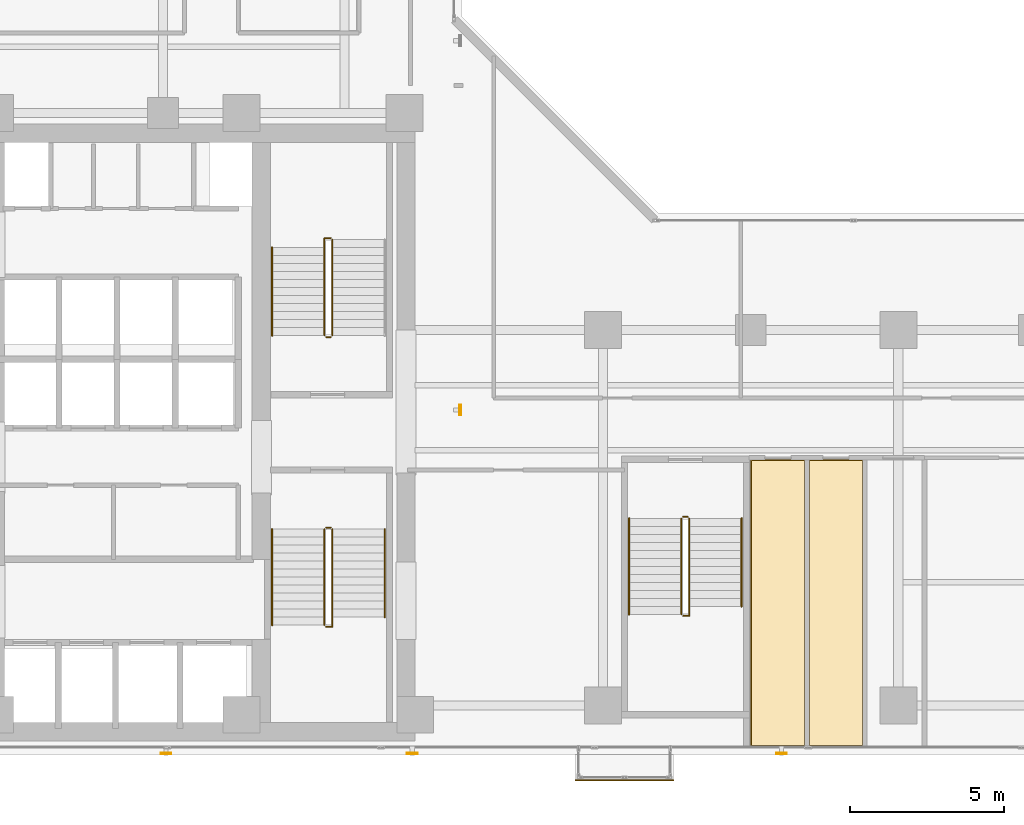
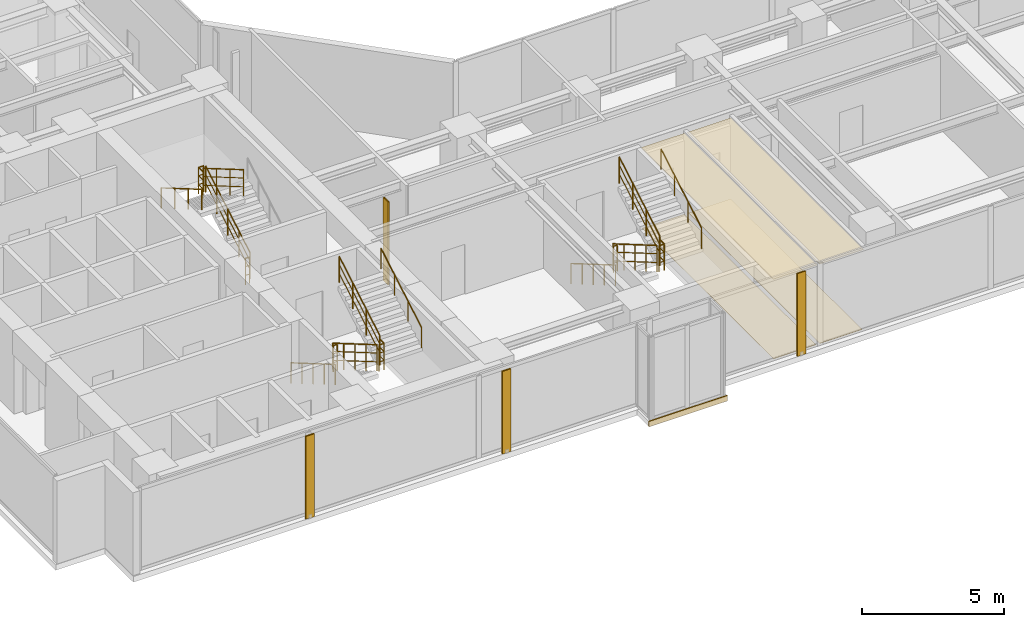
# One storey, part 23 of 24: 17 railings, 5 coverings, 4 shading devices.
"""IFC4 building model written with IfcOpenShell, lengths in metres."""

from ifc_helpers import new_model, si_unit, direction, frame, origin, origin_2d, place, context, subcontext, project, spatial, polyline, rectangle, hollow_rectangle, circle, outline, extrude, material, layer, layer_set, material_profile, profile_set, type_object, element, save


model = new_model("IFC4")

# Units and contexts
model_context = context("Model", 3, precision=1e-05, world=origin(), true_north=direction((0.0, 1.0)))
body_context = subcontext(model_context, "Body", "Model", "MODEL_VIEW")
ifc_project = project(units=[si_unit("LENGTHUNIT", "METRE"), si_unit("AREAUNIT", "SQUARE_METRE"), si_unit("VOLUMEUNIT", "CUBIC_METRE"), si_unit("PLANEANGLEUNIT", "RADIAN"), si_unit("MASSUNIT", "GRAM", prefix="KILO")], contexts=[model_context])

# Site, building, storey
site_placement = place(None, origin())
site = spatial("IfcSite", under=ifc_project, at=site_placement, CompositionType="ELEMENT")
building_placement = place(site_placement, origin())
building = spatial("IfcBuilding", under=site, at=building_placement, Name="Kolvaren Waterfront Exchange", CompositionType="ELEMENT")
storey_placement = place(building_placement, frame((0.0, 0.0, 169.0)))
storey = spatial("IfcBuildingStorey", under=building, at=storey_placement, Name="L43", CompositionType="ELEMENT", Elevation=169.0)

# Coverings
ifc_material_1 = material(Name="Mineral fibre acoustic ceiling tile")
ifc_layer_1 = layer(ifc_material_1, 0.02490234375, Name="Mineral fibre acoustic ceiling tile")
ifc_layer_set_1 = layer_set([ifc_layer_1], Name="Mineral fibre acoustic ceiling tile")
covering_type_1 = type_object("IfcCoveringType", Name="ARC-CEIL-ACOUSTIC-25", PredefinedType="CEILING", material=ifc_layer_set_1)
covering_1_placement = place(storey_placement, frame((0.0, 0.0, 3.445068359375)))
element("IfcCovering", 1, at=covering_1_placement, inside=storey, type_object=covering_type_1, Name="L43 acoustic suspended ceiling 2", PredefinedType="CEILING", context=body_context, shape_type="SweptSolid", body=[
    extrude(outline(polyline([(33.784912109375, 3.864990234375), (33.784912109375, 13.195068359375), (32.0, 13.195068359375), (32.0, 4.800048828125), (31.9951171875, 4.800048828125), (31.9951171875, 3.864990234375), (33.784912109375, 3.864990234375)])), origin(), (0.0, 0.0, 1.0), 0.02490234375),
])
covering_2_placement = place(storey_placement, frame((0.0, 0.0, 3.445068359375)))
element("IfcCovering", 2, at=covering_2_placement, inside=storey, type_object=covering_type_1, Name="L43 acoustic suspended ceiling 3", PredefinedType="CEILING", context=body_context, shape_type="SweptSolid", body=[
    extrude(outline(polyline([(35.6650390625, 3.864990234375), (35.6650390625, 13.195068359375), (33.875, 13.195068359375), (33.875, 3.864990234375), (35.6650390625, 3.864990234375)])), origin(), (0.0, 0.0, 1.0), 0.02490234375),
])
ifc_material_2 = material(Name="Anodised bronze fascia aluminium", Category="aluminium")
ifc_layer_2 = layer(ifc_material_2, 0.034912109375, Name="Anodised bronze fascia aluminium")
ifc_layer_set_2 = layer_set([ifc_layer_2], Name="Anodised bronze fascia aluminium")
covering_type_2 = type_object("IfcCoveringType", Name="ARC-CLAD-BRONZE-35", PredefinedType="CLADDING", material=ifc_layer_set_2)
covering_3_placement = place(storey_placement, frame((27.89990234375, 2.77001953125, -0.22021484375), z_axis=(0.0, 0.0, 1.0), x_axis=(1.0, 0.0, 0.0)))
element("IfcCovering", 3, at=covering_3_placement, inside=storey, type_object=covering_type_2, Name="L43 ribbed anodised bronze bay-box fascia", PredefinedType="CLADDING", context=body_context, shape_type="SweptSolid", body=[
    extrude(rectangle(XDim=3.199951171875, YDim=0.034912109375, at=origin_2d()), origin(), (0.0, 0.0, 1.0), 0.239990234375),
])

# Shading devices
ifc_material_3 = material(Name="Anodised bronze aluminium 6063-T6", Category="aluminium")
ifc_material_profile = material_profile(ifc_material_3, hollow_rectangle(XDim=0.06005859375, YDim=0.35009765625, WallThickness=0.0048828125, at=origin_2d()), Name="BRZ-FIN-350x60x5")
ifc_profile_set = profile_set([ifc_material_profile], Name="Anodised bronze aluminium 6063-T6")
shading_device_type = type_object("IfcShadingDeviceType", Name="ARC-FIN-350", PredefinedType="USERDEFINED", material=ifc_profile_set)
for number, where, z_axis, x_axis, name in (
    (4, (13.0, 3.639892578125, 0.0), (0.0, 0.0, 1.0), (0.0, -1.0, 0.0), "L43 anodised bronze solar shading fin FIN-L43-S1"),
    (5, (21.0, 3.639892578125, 0.0), (0.0, 0.0, 1.0), (0.0, -1.0, 0.0), "L43 anodised bronze solar shading fin FIN-L43-S2"),
    (6, (33.0, 3.639892578125, 0.0), (0.0, 0.0, 1.0), (0.0, -1.0, 0.0), "L43 anodised bronze solar shading fin FIN-L43-S3"),
    (7, (22.56005859375, 14.800048828125, 0.0), (0.0, 0.0, 1.0), (1.0, 0.0, 0.0), "L43 anodised bronze solar shading fin FIN-L43-E1"),
):
    element("IfcShadingDevice", number, at=place(storey_placement, frame(where, z_axis=z_axis, x_axis=x_axis)), inside=storey, type_object=shading_device_type, Name=name, ObjectType="SOLAR FIN", PredefinedType="USERDEFINED", context=body_context, shape_type="SweptSolid", body=[
        extrude(hollow_rectangle(XDim=0.06005859375, YDim=0.35009765625, WallThickness=0.0048828125, at=origin_2d()), origin(), (0.0, 0.0, 1.0), 3.56005859375),
    ])

# Coverings
ifc_material_4 = material(Name="Slip-resistant porcelain tile")
ifc_layer_3 = layer(ifc_material_4, 0.014892578125, Name="Slip-resistant porcelain tile")
ifc_layer_set_3 = layer_set([ifc_layer_3], Name="Slip-resistant porcelain tile")
covering_type_3 = type_object("IfcCoveringType", Name="ARC-FLR-PORC-15", PredefinedType="FLOORING", material=ifc_layer_set_3)
covering_4_placement = place(storey_placement, origin())
element("IfcCovering", 8, at=covering_4_placement, inside=storey, type_object=covering_type_3, Name="L43 floor finish 2", PredefinedType="FLOORING", context=body_context, shape_type="SweptSolid", body=[
    extrude(outline(polyline([(32.030029296875, 13.159912109375), (32.030029296875, 3.89990234375), (33.75, 3.89990234375), (33.75, 13.159912109375), (32.030029296875, 13.159912109375)])), origin(), (0.0, 0.0, 1.0), 0.014892578125),
])
covering_5_placement = place(storey_placement, origin())
element("IfcCovering", 9, at=covering_5_placement, inside=storey, type_object=covering_type_3, Name="L43 floor finish 3", PredefinedType="FLOORING", context=body_context, shape_type="SweptSolid", body=[
    extrude(outline(polyline([(33.909912109375, 13.159912109375), (33.909912109375, 3.89990234375), (35.6298828125, 3.89990234375), (35.6298828125, 13.159912109375), (33.909912109375, 13.159912109375)])), origin(), (0.0, 0.0, 1.0), 0.014892578125),
])

# Railings
ifc_material_5 = material(Name="Stainless steel 316", Category="steel")
railing_type_1 = type_object("IfcRailingType", Name="ARC-GUARD-STAIR", PredefinedType="GUARDRAIL", material=ifc_material_5)
railing_1_placement = place(storey_placement, frame((18.14990234375, 10.929931640625, 0.152099609375)))
element("IfcRailing", 10, at=railing_1_placement, inside=storey, type_object=railing_type_1, Name="L43 ST1 stair guard 1", PredefinedType="GUARDRAIL", context=body_context, shape_type="SweptSolid", body=[
    extrude(circle(Radius=0.02392578125, at=origin_2d()), frame((0.0, 0.0, 1.1259765625), z_axis=(0.0, -0.86329090724, 0.504706656858), x_axis=(1.0, 0.0, 0.0)), (0.0, 0.0, 1.0), 3.614013671875),
    extrude(circle(Radius=0.01611328125, at=origin_2d()), frame((0.0, 0.0, 0.390869140625), z_axis=(0.0, -0.86329090724, 0.504706656858), x_axis=(1.0, 0.0, 0.0)), (0.0, 0.0, 1.0), 3.614013671875),
    extrude(circle(Radius=0.01611328125, at=origin_2d()), frame((0.0, 0.0, 0.7705078125), z_axis=(0.0, -0.86329090724, 0.504706656858), x_axis=(1.0, 0.0, 0.0)), (0.0, 0.0, 1.0), 3.614013671875),
    extrude(circle(Radius=0.02099609375, at=origin_2d()), origin(), (0.0, 0.0, 1.0), 1.101806640625),
    extrude(circle(Radius=0.02099609375, at=origin_2d()), frame((0.0, -0.780029296875, 0.4560546875)), (0.0, 0.0, 1.0), 1.101806640625),
    extrude(circle(Radius=0.02099609375, at=origin_2d()), frame((0.0, -1.56005859375, 0.912109375)), (0.0, 0.0, 1.0), 1.101806640625),
    extrude(circle(Radius=0.02099609375, at=origin_2d()), frame((0.0, -2.33984375, 1.367919921875)), (0.0, 0.0, 1.0), 1.101806640625),
    extrude(circle(Radius=0.02099609375, at=origin_2d()), frame((0.0, -3.119873046875, 1.823974609375)), (0.0, 0.0, 1.0), 1.101806640625),
])
railing_2_placement = place(storey_placement, frame((18.199951171875, 7.760009765625, 1.97607421875)))
element("IfcRailing", 11, at=railing_2_placement, inside=storey, type_object=railing_type_1, Name="L43 ST1 stair guard 2", PredefinedType="GUARDRAIL", context=body_context, shape_type="SweptSolid", body=[
    extrude(circle(Radius=0.02392578125, at=origin_2d()), frame((0.0, 0.0, 1.1259765625), z_axis=(1.0, 0.0, 0.0), x_axis=(0.0, 1.0, 0.0)), (0.0, 0.0, 1.0), 0.2099609375),
    extrude(circle(Radius=0.01611328125, at=origin_2d()), frame((0.0, 0.0, 0.390869140625), z_axis=(1.0, 0.0, 0.0), x_axis=(0.0, 1.0, 0.0)), (0.0, 0.0, 1.0), 0.2099609375),
    extrude(circle(Radius=0.01611328125, at=origin_2d()), frame((0.0, 0.0, 0.7705078125), z_axis=(1.0, 0.0, 0.0), x_axis=(0.0, 1.0, 0.0)), (0.0, 0.0, 1.0), 0.2099609375),
    extrude(circle(Radius=0.02392578125, at=origin_2d()), frame((0.2099609375, 0.0, 1.1259765625), z_axis=(0.0, 1.0, 0.0), x_axis=(-1.0, 0.0, 0.0)), (0.0, 0.0, 1.0), 0.31005859375),
    extrude(circle(Radius=0.01611328125, at=origin_2d()), frame((0.2099609375, 0.0, 0.390869140625), z_axis=(0.0, 1.0, 0.0), x_axis=(-1.0, 0.0, 0.0)), (0.0, 0.0, 1.0), 0.31005859375),
    extrude(circle(Radius=0.01611328125, at=origin_2d()), frame((0.2099609375, 0.0, 0.7705078125), z_axis=(0.0, 1.0, 0.0), x_axis=(-1.0, 0.0, 0.0)), (0.0, 0.0, 1.0), 0.31005859375),
    extrude(circle(Radius=0.02099609375, at=origin_2d()), origin(), (0.0, 0.0, 1.0), 1.101806640625),
    extrude(circle(Radius=0.02099609375, at=origin_2d()), frame((0.2099609375, 0.0, 0.0)), (0.0, 0.0, 1.0), 1.101806640625),
    extrude(circle(Radius=0.02099609375, at=origin_2d()), frame((0.2099609375, 0.31005859375, 0.0)), (0.0, 0.0, 1.0), 1.101806640625),
])
railing_3_placement = place(storey_placement, frame((18.409912109375, 8.070068359375, 2.1279296875)))
element("IfcRailing", 12, at=railing_3_placement, inside=storey, type_object=railing_type_1, Name="L43 ST1 stair guard 3", PredefinedType="GUARDRAIL", context=body_context, shape_type="SweptSolid", body=[
    extrude(circle(Radius=0.02392578125, at=origin_2d()), frame((0.0, 0.0, 1.1259765625), z_axis=(0.0, 0.863270611444, 0.50474137082), x_axis=(-1.0, 0.0, 0.0)), (0.0, 0.0, 1.0), 3.312744140625),
    extrude(circle(Radius=0.01611328125, at=origin_2d()), frame((0.0, 0.0, 0.390869140625), z_axis=(0.0, 0.863270611444, 0.50474137082), x_axis=(-1.0, 0.0, 0.0)), (0.0, 0.0, 1.0), 3.312744140625),
    extrude(circle(Radius=0.01611328125, at=origin_2d()), frame((0.0, 0.0, 0.7705078125), z_axis=(0.0, 0.863270611444, 0.50474137082), x_axis=(-1.0, 0.0, 0.0)), (0.0, 0.0, 1.0), 3.312744140625),
    extrude(circle(Radius=0.02099609375, at=origin_2d()), origin(), (0.0, 0.0, 1.0), 1.101806640625),
    extrude(circle(Radius=0.02099609375, at=origin_2d()), frame((0.0, 0.953369140625, 0.557373046875)), (0.0, 0.0, 1.0), 1.101806640625),
    extrude(circle(Radius=0.02099609375, at=origin_2d()), frame((0.0, 1.906494140625, 1.11474609375)), (0.0, 0.0, 1.0), 1.101806640625),
    extrude(circle(Radius=0.02099609375, at=origin_2d()), frame((0.0, 2.85986328125, 1.672119140625)), (0.0, 0.0, 1.0), 1.101806640625),
])
railing_4_placement = place(storey_placement, frame((18.199951171875, 10.97998046875, 0.0)))
element("IfcRailing", 13, at=railing_4_placement, inside=storey, type_object=railing_type_1, Name="L43 ST1 stair guard 4", PredefinedType="GUARDRAIL", context=body_context, shape_type="SweptSolid", body=[
    extrude(circle(Radius=0.02392578125, at=origin_2d()), frame((0.0, 0.0, 1.1259765625), z_axis=(1.0, 0.0, 0.0), x_axis=(0.0, 1.0, 0.0)), (0.0, 0.0, 1.0), 0.16015625),
    extrude(circle(Radius=0.01611328125, at=origin_2d()), frame((0.0, 0.0, 0.390869140625), z_axis=(1.0, 0.0, 0.0), x_axis=(0.0, 1.0, 0.0)), (0.0, 0.0, 1.0), 0.16015625),
    extrude(circle(Radius=0.01611328125, at=origin_2d()), frame((0.0, 0.0, 0.7705078125), z_axis=(1.0, 0.0, 0.0), x_axis=(0.0, 1.0, 0.0)), (0.0, 0.0, 1.0), 0.16015625),
    extrude(circle(Radius=0.02099609375, at=origin_2d()), origin(), (0.0, 0.0, 1.0), 1.101806640625),
    extrude(circle(Radius=0.02099609375, at=origin_2d()), frame((0.16015625, 0.0, 0.0)), (0.0, 0.0, 1.0), 1.101806640625),
])
railing_5_placement = place(storey_placement, frame((18.409912109375, 17.219970703125, 0.152099609375)))
element("IfcRailing", 14, at=railing_5_placement, inside=storey, type_object=railing_type_1, Name="L43 ST2 stair guard 1", PredefinedType="GUARDRAIL", context=body_context, shape_type="SweptSolid", body=[
    extrude(circle(Radius=0.02392578125, at=origin_2d()), frame((0.0, 0.0, 1.1259765625), z_axis=(0.0, 0.86330811405, 0.504677223793), x_axis=(-1.0, 0.0, 0.0)), (0.0, 0.0, 1.0), 3.6142578125),
    extrude(circle(Radius=0.01611328125, at=origin_2d()), frame((0.0, 0.0, 0.390869140625), z_axis=(0.0, 0.86330811405, 0.504677223793), x_axis=(-1.0, 0.0, 0.0)), (0.0, 0.0, 1.0), 3.6142578125),
    extrude(circle(Radius=0.01611328125, at=origin_2d()), frame((0.0, 0.0, 0.7705078125), z_axis=(0.0, 0.86330811405, 0.504677223793), x_axis=(-1.0, 0.0, 0.0)), (0.0, 0.0, 1.0), 3.6142578125),
    extrude(circle(Radius=0.02099609375, at=origin_2d()), origin(), (0.0, 0.0, 1.0), 1.101806640625),
    extrude(circle(Radius=0.02099609375, at=origin_2d()), frame((0.0, 0.780029296875, 0.4560546875)), (0.0, 0.0, 1.0), 1.101806640625),
    extrude(circle(Radius=0.02099609375, at=origin_2d()), frame((0.0, 1.56005859375, 0.912109375)), (0.0, 0.0, 1.0), 1.101806640625),
    extrude(circle(Radius=0.02099609375, at=origin_2d()), frame((0.0, 2.340087890625, 1.367919921875)), (0.0, 0.0, 1.0), 1.101806640625),
    extrude(circle(Radius=0.02099609375, at=origin_2d()), frame((0.0, 3.1201171875, 1.823974609375)), (0.0, 0.0, 1.0), 1.101806640625),
])
railing_6_placement = place(storey_placement, frame((18.360107421875, 20.389892578125, 1.97607421875)))
element("IfcRailing", 15, at=railing_6_placement, inside=storey, type_object=railing_type_1, Name="L43 ST2 stair guard 2", PredefinedType="GUARDRAIL", context=body_context, shape_type="SweptSolid", body=[
    extrude(circle(Radius=0.02392578125, at=origin_2d()), frame((0.0, 0.0, 1.1259765625), z_axis=(-1.0, 0.0, 0.0), x_axis=(0.0, -1.0, 0.0)), (0.0, 0.0, 1.0), 0.210205078125),
    extrude(circle(Radius=0.01611328125, at=origin_2d()), frame((0.0, 0.0, 0.390869140625), z_axis=(-1.0, 0.0, 0.0), x_axis=(0.0, -1.0, 0.0)), (0.0, 0.0, 1.0), 0.210205078125),
    extrude(circle(Radius=0.01611328125, at=origin_2d()), frame((0.0, 0.0, 0.7705078125), z_axis=(-1.0, 0.0, 0.0), x_axis=(0.0, -1.0, 0.0)), (0.0, 0.0, 1.0), 0.210205078125),
    extrude(circle(Radius=0.02392578125, at=origin_2d()), frame((-0.210205078125, 0.0, 1.1259765625), z_axis=(0.0, -1.0, 0.0), x_axis=(1.0, 0.0, 0.0)), (0.0, 0.0, 1.0), 0.309814453125),
    extrude(circle(Radius=0.01611328125, at=origin_2d()), frame((-0.210205078125, 0.0, 0.390869140625), z_axis=(0.0, -1.0, 0.0), x_axis=(1.0, 0.0, 0.0)), (0.0, 0.0, 1.0), 0.309814453125),
    extrude(circle(Radius=0.01611328125, at=origin_2d()), frame((-0.210205078125, 0.0, 0.7705078125), z_axis=(0.0, -1.0, 0.0), x_axis=(1.0, 0.0, 0.0)), (0.0, 0.0, 1.0), 0.309814453125),
    extrude(circle(Radius=0.02099609375, at=origin_2d()), origin(), (0.0, 0.0, 1.0), 1.101806640625),
    extrude(circle(Radius=0.02099609375, at=origin_2d()), frame((-0.210205078125, 0.0, 0.0)), (0.0, 0.0, 1.0), 1.101806640625),
    extrude(circle(Radius=0.02099609375, at=origin_2d()), frame((-0.210205078125, -0.309814453125, 0.0)), (0.0, 0.0, 1.0), 1.101806640625),
])
railing_7_placement = place(storey_placement, frame((18.14990234375, 20.080078125, 2.1279296875)))
element("IfcRailing", 16, at=railing_7_placement, inside=storey, type_object=railing_type_1, Name="L43 ST2 stair guard 3", PredefinedType="GUARDRAIL", context=body_context, shape_type="SweptSolid", body=[
    extrude(circle(Radius=0.02392578125, at=origin_2d()), frame((0.0, 0.0, 1.1259765625), z_axis=(0.0, -0.863289384635, 0.504709261235), x_axis=(1.0, 0.0, 0.0)), (0.0, 0.0, 1.0), 3.31298828125),
    extrude(circle(Radius=0.01611328125, at=origin_2d()), frame((0.0, 0.0, 0.390869140625), z_axis=(0.0, -0.863289384635, 0.504709261235), x_axis=(1.0, 0.0, 0.0)), (0.0, 0.0, 1.0), 3.31298828125),
    extrude(circle(Radius=0.01611328125, at=origin_2d()), frame((0.0, 0.0, 0.7705078125), z_axis=(0.0, -0.863289384635, 0.504709261235), x_axis=(1.0, 0.0, 0.0)), (0.0, 0.0, 1.0), 3.31298828125),
    extrude(circle(Radius=0.02099609375, at=origin_2d()), origin(), (0.0, 0.0, 1.0), 1.101806640625),
    extrude(circle(Radius=0.02099609375, at=origin_2d()), frame((0.0, -0.953369140625, 0.557373046875)), (0.0, 0.0, 1.0), 1.101806640625),
    extrude(circle(Radius=0.02099609375, at=origin_2d()), frame((0.0, -1.90673828125, 1.11474609375)), (0.0, 0.0, 1.0), 1.101806640625),
    extrude(circle(Radius=0.02099609375, at=origin_2d()), frame((0.0, -2.860107421875, 1.672119140625)), (0.0, 0.0, 1.0), 1.101806640625),
])
railing_8_placement = place(storey_placement, frame((18.360107421875, 17.169921875, 0.0)))
element("IfcRailing", 17, at=railing_8_placement, inside=storey, type_object=railing_type_1, Name="L43 ST2 stair guard 4", PredefinedType="GUARDRAIL", context=body_context, shape_type="SweptSolid", body=[
    extrude(circle(Radius=0.02392578125, at=origin_2d()), frame((0.0, 0.0, 1.1259765625), z_axis=(-1.0, 0.0, 0.0), x_axis=(0.0, -1.0, 0.0)), (0.0, 0.0, 1.0), 0.16015625),
    extrude(circle(Radius=0.01611328125, at=origin_2d()), frame((0.0, 0.0, 0.390869140625), z_axis=(-1.0, 0.0, 0.0), x_axis=(0.0, -1.0, 0.0)), (0.0, 0.0, 1.0), 0.16015625),
    extrude(circle(Radius=0.01611328125, at=origin_2d()), frame((0.0, 0.0, 0.7705078125), z_axis=(-1.0, 0.0, 0.0), x_axis=(0.0, -1.0, 0.0)), (0.0, 0.0, 1.0), 0.16015625),
    extrude(circle(Radius=0.02099609375, at=origin_2d()), origin(), (0.0, 0.0, 1.0), 1.101806640625),
    extrude(circle(Radius=0.02099609375, at=origin_2d()), frame((-0.16015625, 0.0, 0.0)), (0.0, 0.0, 1.0), 1.101806640625),
])
railing_9_placement = place(storey_placement, frame((29.75, 11.280029296875, 0.152099609375)))
element("IfcRailing", 18, at=railing_9_placement, inside=storey, type_object=railing_type_1, Name="L43 ST3 stair guard 1", PredefinedType="GUARDRAIL", context=body_context, shape_type="SweptSolid", body=[
    extrude(circle(Radius=0.02392578125, at=origin_2d()), frame((0.0, 0.0, 1.1259765625), z_axis=(0.0, -0.86330811405, 0.504677223793), x_axis=(1.0, 0.0, 0.0)), (0.0, 0.0, 1.0), 3.6142578125),
    extrude(circle(Radius=0.01611328125, at=origin_2d()), frame((0.0, 0.0, 0.390869140625), z_axis=(0.0, -0.86330811405, 0.504677223793), x_axis=(1.0, 0.0, 0.0)), (0.0, 0.0, 1.0), 3.6142578125),
    extrude(circle(Radius=0.01611328125, at=origin_2d()), frame((0.0, 0.0, 0.7705078125), z_axis=(0.0, -0.86330811405, 0.504677223793), x_axis=(1.0, 0.0, 0.0)), (0.0, 0.0, 1.0), 3.6142578125),
    extrude(circle(Radius=0.02099609375, at=origin_2d()), origin(), (0.0, 0.0, 1.0), 1.101806640625),
    extrude(circle(Radius=0.02099609375, at=origin_2d()), frame((0.0, -0.780029296875, 0.4560546875)), (0.0, 0.0, 1.0), 1.101806640625),
    extrude(circle(Radius=0.02099609375, at=origin_2d()), frame((0.0, -1.56005859375, 0.912109375)), (0.0, 0.0, 1.0), 1.101806640625),
    extrude(circle(Radius=0.02099609375, at=origin_2d()), frame((0.0, -2.340087890625, 1.367919921875)), (0.0, 0.0, 1.0), 1.101806640625),
    extrude(circle(Radius=0.02099609375, at=origin_2d()), frame((0.0, -3.1201171875, 1.823974609375)), (0.0, 0.0, 1.0), 1.101806640625),
])
railing_10_placement = place(storey_placement, frame((29.800048828125, 8.110107421875, 1.97607421875)))
element("IfcRailing", 19, at=railing_10_placement, inside=storey, type_object=railing_type_1, Name="L43 ST3 stair guard 2", PredefinedType="GUARDRAIL", context=body_context, shape_type="SweptSolid", body=[
    extrude(circle(Radius=0.02392578125, at=origin_2d()), frame((0.0, 0.0, 1.1259765625), z_axis=(1.0, 0.0, 0.0), x_axis=(0.0, 1.0, 0.0)), (0.0, 0.0, 1.0), 0.2099609375),
    extrude(circle(Radius=0.01611328125, at=origin_2d()), frame((0.0, 0.0, 0.390869140625), z_axis=(1.0, 0.0, 0.0), x_axis=(0.0, 1.0, 0.0)), (0.0, 0.0, 1.0), 0.2099609375),
    extrude(circle(Radius=0.01611328125, at=origin_2d()), frame((0.0, 0.0, 0.7705078125), z_axis=(1.0, 0.0, 0.0), x_axis=(0.0, 1.0, 0.0)), (0.0, 0.0, 1.0), 0.2099609375),
    extrude(circle(Radius=0.02392578125, at=origin_2d()), frame((0.2099609375, 0.0, 1.1259765625), z_axis=(0.0, 1.0, 0.0), x_axis=(-1.0, 0.0, 0.0)), (0.0, 0.0, 1.0), 0.309814453125),
    extrude(circle(Radius=0.01611328125, at=origin_2d()), frame((0.2099609375, 0.0, 0.390869140625), z_axis=(0.0, 1.0, 0.0), x_axis=(-1.0, 0.0, 0.0)), (0.0, 0.0, 1.0), 0.309814453125),
    extrude(circle(Radius=0.01611328125, at=origin_2d()), frame((0.2099609375, 0.0, 0.7705078125), z_axis=(0.0, 1.0, 0.0), x_axis=(-1.0, 0.0, 0.0)), (0.0, 0.0, 1.0), 0.309814453125),
    extrude(circle(Radius=0.02099609375, at=origin_2d()), origin(), (0.0, 0.0, 1.0), 1.101806640625),
    extrude(circle(Radius=0.02099609375, at=origin_2d()), frame((0.2099609375, 0.0, 0.0)), (0.0, 0.0, 1.0), 1.101806640625),
    extrude(circle(Radius=0.02099609375, at=origin_2d()), frame((0.2099609375, 0.309814453125, 0.0)), (0.0, 0.0, 1.0), 1.101806640625),
])
railing_11_placement = place(storey_placement, frame((30.010009765625, 8.419921875, 2.1279296875)))
element("IfcRailing", 20, at=railing_11_placement, inside=storey, type_object=railing_type_1, Name="L43 ST3 stair guard 3", PredefinedType="GUARDRAIL", context=body_context, shape_type="SweptSolid", body=[
    extrude(circle(Radius=0.02392578125, at=origin_2d()), frame((0.0, 0.0, 1.1259765625), z_axis=(0.0, 0.863289384635, 0.504709261235), x_axis=(-1.0, 0.0, 0.0)), (0.0, 0.0, 1.0), 3.31298828125),
    extrude(circle(Radius=0.01611328125, at=origin_2d()), frame((0.0, 0.0, 0.390869140625), z_axis=(0.0, 0.863289384635, 0.504709261235), x_axis=(-1.0, 0.0, 0.0)), (0.0, 0.0, 1.0), 3.31298828125),
    extrude(circle(Radius=0.01611328125, at=origin_2d()), frame((0.0, 0.0, 0.7705078125), z_axis=(0.0, 0.863289384635, 0.504709261235), x_axis=(-1.0, 0.0, 0.0)), (0.0, 0.0, 1.0), 3.31298828125),
    extrude(circle(Radius=0.02099609375, at=origin_2d()), origin(), (0.0, 0.0, 1.0), 1.101806640625),
    extrude(circle(Radius=0.02099609375, at=origin_2d()), frame((0.0, 0.953369140625, 0.557373046875)), (0.0, 0.0, 1.0), 1.101806640625),
    extrude(circle(Radius=0.02099609375, at=origin_2d()), frame((0.0, 1.90673828125, 1.11474609375)), (0.0, 0.0, 1.0), 1.101806640625),
    extrude(circle(Radius=0.02099609375, at=origin_2d()), frame((0.0, 2.860107421875, 1.672119140625)), (0.0, 0.0, 1.0), 1.101806640625),
])
railing_12_placement = place(storey_placement, frame((29.800048828125, 11.330078125, 0.0)))
element("IfcRailing", 21, at=railing_12_placement, inside=storey, type_object=railing_type_1, Name="L43 ST3 stair guard 4", PredefinedType="GUARDRAIL", context=body_context, shape_type="SweptSolid", body=[
    extrude(circle(Radius=0.02392578125, at=origin_2d()), frame((0.0, 0.0, 1.1259765625), z_axis=(1.0, 0.0, 0.0), x_axis=(0.0, 1.0, 0.0)), (0.0, 0.0, 1.0), 0.159912109375),
    extrude(circle(Radius=0.01611328125, at=origin_2d()), frame((0.0, 0.0, 0.390869140625), z_axis=(1.0, 0.0, 0.0), x_axis=(0.0, 1.0, 0.0)), (0.0, 0.0, 1.0), 0.159912109375),
    extrude(circle(Radius=0.01611328125, at=origin_2d()), frame((0.0, 0.0, 0.7705078125), z_axis=(1.0, 0.0, 0.0), x_axis=(0.0, 1.0, 0.0)), (0.0, 0.0, 1.0), 0.159912109375),
    extrude(circle(Radius=0.02099609375, at=origin_2d()), origin(), (0.0, 0.0, 1.0), 1.101806640625),
    extrude(circle(Radius=0.02099609375, at=origin_2d()), frame((0.159912109375, 0.0, 0.0)), (0.0, 0.0, 1.0), 1.101806640625),
])
railing_type_2 = type_object("IfcRailingType", Name="ARC-HANDRAIL-900", PredefinedType="HANDRAIL", material=ifc_material_5)
railing_13_placement = place(storey_placement, frame((16.449951171875, 10.929931640625, 0.152099609375)))
element("IfcRailing", 22, at=railing_13_placement, inside=storey, type_object=railing_type_2, Name="L43 ST1 stair handrail 1", PredefinedType="HANDRAIL", context=body_context, shape_type="SweptSolid", body=[
    extrude(circle(Radius=0.02392578125, at=origin_2d()), frame((0.0, 0.0, 0.8759765625), z_axis=(0.0, -0.86329090724, 0.504706656858), x_axis=(1.0, 0.0, 0.0)), (0.0, 0.0, 1.0), 3.614013671875),
    extrude(circle(Radius=0.02099609375, at=origin_2d()), origin(), (0.0, 0.0, 1.0), 0.851806640625),
    extrude(circle(Radius=0.02099609375, at=origin_2d()), frame((0.0, -0.780029296875, 0.4560546875)), (0.0, 0.0, 1.0), 0.851806640625),
    extrude(circle(Radius=0.02099609375, at=origin_2d()), frame((0.0, -1.56005859375, 0.912109375)), (0.0, 0.0, 1.0), 0.851806640625),
    extrude(circle(Radius=0.02099609375, at=origin_2d()), frame((0.0, -2.33984375, 1.367919921875)), (0.0, 0.0, 1.0), 0.851806640625),
    extrude(circle(Radius=0.02099609375, at=origin_2d()), frame((0.0, -3.119873046875, 1.823974609375)), (0.0, 0.0, 1.0), 0.851806640625),
])
railing_14_placement = place(storey_placement, frame((20.110107421875, 8.070068359375, 2.1279296875)))
element("IfcRailing", 23, at=railing_14_placement, inside=storey, type_object=railing_type_2, Name="L43 ST1 stair handrail 2", PredefinedType="HANDRAIL", context=body_context, shape_type="SweptSolid", body=[
    extrude(circle(Radius=0.02392578125, at=origin_2d()), frame((0.0, 0.0, 0.8759765625), z_axis=(0.0, 0.863270611444, 0.50474137082), x_axis=(-1.0, 0.0, 0.0)), (0.0, 0.0, 1.0), 3.312744140625),
    extrude(circle(Radius=0.02099609375, at=origin_2d()), origin(), (0.0, 0.0, 1.0), 0.851806640625),
    extrude(circle(Radius=0.02099609375, at=origin_2d()), frame((0.0, 0.953369140625, 0.557373046875)), (0.0, 0.0, 1.0), 0.851806640625),
    extrude(circle(Radius=0.02099609375, at=origin_2d()), frame((0.0, 1.906494140625, 1.11474609375)), (0.0, 0.0, 1.0), 0.851806640625),
    extrude(circle(Radius=0.02099609375, at=origin_2d()), frame((0.0, 2.85986328125, 1.672119140625)), (0.0, 0.0, 1.0), 0.851806640625),
])
railing_15_placement = place(storey_placement, frame((16.449951171875, 20.080078125, 2.1279296875)))
element("IfcRailing", 24, at=railing_15_placement, inside=storey, type_object=railing_type_2, Name="L43 ST2 stair handrail 2", PredefinedType="HANDRAIL", context=body_context, shape_type="SweptSolid", body=[
    extrude(circle(Radius=0.02392578125, at=origin_2d()), frame((0.0, 0.0, 0.8759765625), z_axis=(0.0, -0.863289384635, 0.504709261235), x_axis=(1.0, 0.0, 0.0)), (0.0, 0.0, 1.0), 3.31298828125),
    extrude(circle(Radius=0.02099609375, at=origin_2d()), origin(), (0.0, 0.0, 1.0), 0.851806640625),
    extrude(circle(Radius=0.02099609375, at=origin_2d()), frame((0.0, -0.953369140625, 0.557373046875)), (0.0, 0.0, 1.0), 0.851806640625),
    extrude(circle(Radius=0.02099609375, at=origin_2d()), frame((0.0, -1.90673828125, 1.11474609375)), (0.0, 0.0, 1.0), 0.851806640625),
    extrude(circle(Radius=0.02099609375, at=origin_2d()), frame((0.0, -2.860107421875, 1.672119140625)), (0.0, 0.0, 1.0), 0.851806640625),
])
railing_16_placement = place(storey_placement, frame((28.050048828125, 11.280029296875, 0.152099609375)))
element("IfcRailing", 25, at=railing_16_placement, inside=storey, type_object=railing_type_2, Name="L43 ST3 stair handrail 1", PredefinedType="HANDRAIL", context=body_context, shape_type="SweptSolid", body=[
    extrude(circle(Radius=0.02392578125, at=origin_2d()), frame((0.0, 0.0, 0.8759765625), z_axis=(0.0, -0.86330811405, 0.504677223793), x_axis=(1.0, 0.0, 0.0)), (0.0, 0.0, 1.0), 3.6142578125),
    extrude(circle(Radius=0.02099609375, at=origin_2d()), origin(), (0.0, 0.0, 1.0), 0.851806640625),
    extrude(circle(Radius=0.02099609375, at=origin_2d()), frame((0.0, -0.780029296875, 0.4560546875)), (0.0, 0.0, 1.0), 0.851806640625),
    extrude(circle(Radius=0.02099609375, at=origin_2d()), frame((0.0, -1.56005859375, 0.912109375)), (0.0, 0.0, 1.0), 0.851806640625),
    extrude(circle(Radius=0.02099609375, at=origin_2d()), frame((0.0, -2.340087890625, 1.367919921875)), (0.0, 0.0, 1.0), 0.851806640625),
    extrude(circle(Radius=0.02099609375, at=origin_2d()), frame((0.0, -3.1201171875, 1.823974609375)), (0.0, 0.0, 1.0), 0.851806640625),
])
railing_17_placement = place(storey_placement, frame((31.7099609375, 8.419921875, 2.1279296875)))
element("IfcRailing", 26, at=railing_17_placement, inside=storey, type_object=railing_type_2, Name="L43 ST3 stair handrail 2", PredefinedType="HANDRAIL", context=body_context, shape_type="SweptSolid", body=[
    extrude(circle(Radius=0.02392578125, at=origin_2d()), frame((0.0, 0.0, 0.8759765625), z_axis=(0.0, 0.863289384635, 0.504709261235), x_axis=(-1.0, 0.0, 0.0)), (0.0, 0.0, 1.0), 3.31298828125),
    extrude(circle(Radius=0.02099609375, at=origin_2d()), origin(), (0.0, 0.0, 1.0), 0.851806640625),
    extrude(circle(Radius=0.02099609375, at=origin_2d()), frame((0.0, 0.953369140625, 0.557373046875)), (0.0, 0.0, 1.0), 0.851806640625),
    extrude(circle(Radius=0.02099609375, at=origin_2d()), frame((0.0, 1.90673828125, 1.11474609375)), (0.0, 0.0, 1.0), 0.851806640625),
    extrude(circle(Radius=0.02099609375, at=origin_2d()), frame((0.0, 2.860107421875, 1.672119140625)), (0.0, 0.0, 1.0), 0.851806640625),
])

save(model, "model.ifc")
